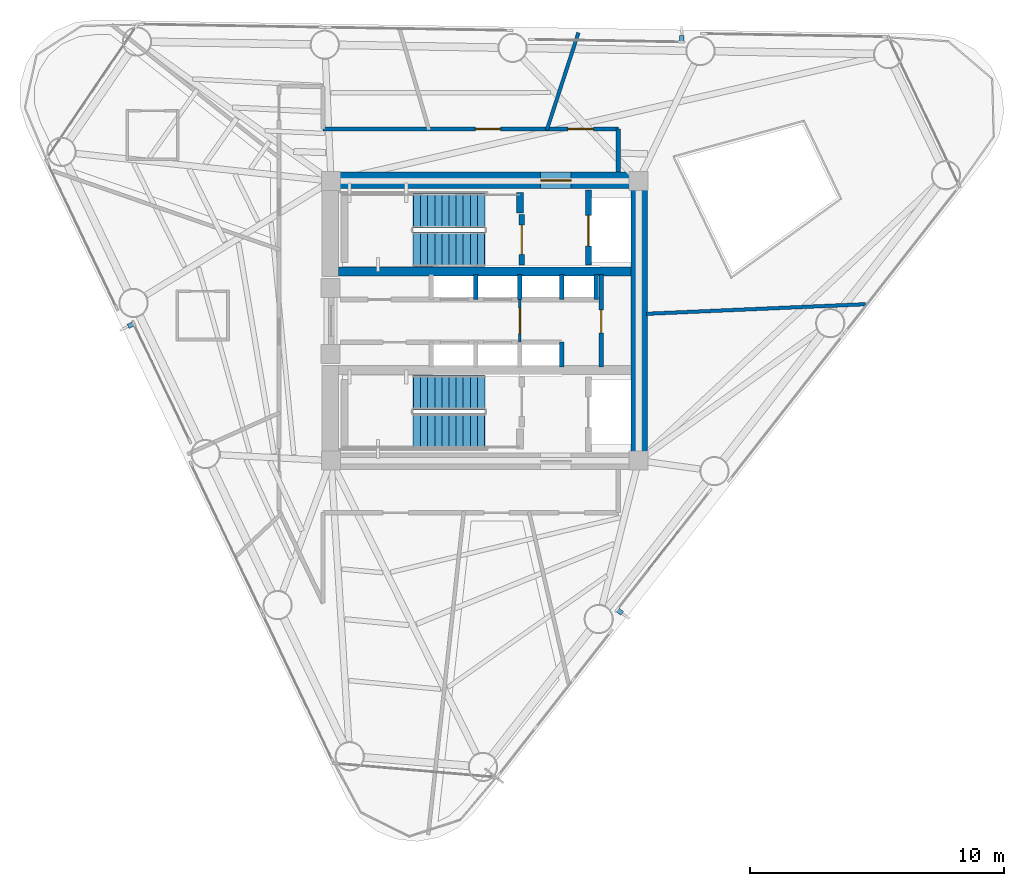
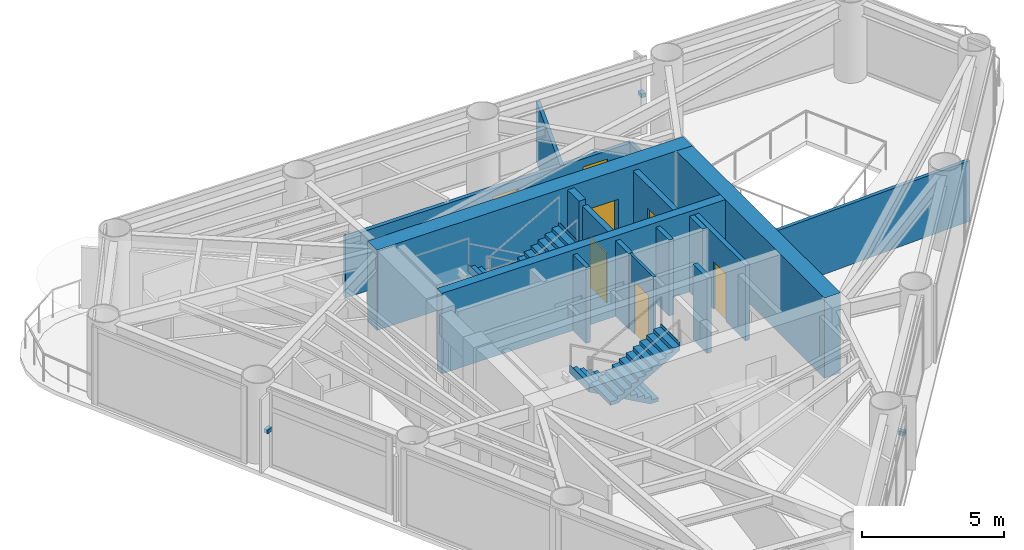
# One storey, part 6 of 9: 17 walls, 7 doors, 4 stair flights, 3 discrete accessories, 7 openings, 2 elements without a shape of their own.
"""IFC4 building model written with IfcOpenShell, lengths in metres."""

from ifc_helpers import new_model, si_unit, direction, frame, frame_2d, origin, origin_2d, place, context, subcontext, project, spatial, polyline, rectangle, outline, extrude, source, transform, mapped, material, layer, layer_set, type_object, element, fill, aggregate, save


model = new_model("IFC4")

# Units and contexts
model_context = context("Model", 3, precision=1e-05, world=origin(), true_north=direction((0.0, 1.0)))
body_context = subcontext(model_context, "Body", "Model", "MODEL_VIEW")
ifc_project = project(units=[si_unit("LENGTHUNIT", "METRE"), si_unit("AREAUNIT", "SQUARE_METRE"), si_unit("VOLUMEUNIT", "CUBIC_METRE"), si_unit("PLANEANGLEUNIT", "RADIAN"), si_unit("MASSUNIT", "GRAM", prefix="KILO")], contexts=[model_context])

# Site, building, storey
site_placement = place(None, origin())
site = spatial("IfcSite", under=ifc_project, at=site_placement, CompositionType="ELEMENT")
building_placement = place(site_placement, origin())
building = spatial("IfcBuilding", under=site, at=building_placement, Name="Yunling Apex Tower", CompositionType="ELEMENT")
storey_placement = place(building_placement, frame((0.0, 0.0, 201.800048828125)))
storey = spatial("IfcBuildingStorey", under=building, at=storey_placement, Name="L49", CompositionType="ELEMENT", Elevation=201.800048828125)

# Wall, opening, door
ifc_material_1 = material(Name="Concrete C50", Category="concrete")
ifc_layer_1 = layer(ifc_material_1, 0.64990234375)
ifc_layer_set_1 = layer_set([ifc_layer_1], Name="Concrete C50")
wall_type_1 = type_object("IfcWallType", Name="WL-COR-2", PredefinedType="SHEAR", material=ifc_layer_set_1)
wall_1_placement = place(storey_placement, frame((-6.39990234375, 5.52490234375, 0.0), z_axis=(0.0, 0.0, 1.0), x_axis=(1.0, 0.0, 0.0)))
wall_1 = element("IfcWall", 1, at=wall_1_placement, inside=storey, type_object=wall_type_1, Name="L49 North Core Shear Wall", PredefinedType="SHEAR", context=body_context, shape_type="SweptSolid", body=[
    extrude(rectangle(XDim=12.7998046875, YDim=0.64990234375, at=frame_2d((6.39990234375, 0.0))), origin(), (0.0, 0.0, 1.0), 3.449951171875),
])
opening_1_placement = place(wall_1_placement, frame((8.60009765625, 0.0, 0.0)))
opening_1 = element("IfcOpeningElement", 2, at=opening_1_placement, cuts=wall_1, Name="Opening DR-FFL-1", PredefinedType="OPENING", context=body_context, shape_type="SweptSolid", body=[
    extrude(rectangle(XDim=1.199951171875, YDim=2.199951171875, at=frame_2d((0.60009765625, 1.10009765625))), frame((0.0, 0.3349609375, 0.0), z_axis=(0.0, -1.0, 0.0), x_axis=(1.0, 0.0, 0.0)), (0.0, 0.0, 1.0), 0.669921875),
])
ifc_material_2 = material(Name="Steel Q355B", Category="steel")
door_type_1 = type_object("IfcDoorType", Name="DR-FFL-1", OperationType="NOTDEFINED", PredefinedType="DOOR", material=ifc_material_2)
door_1_placement = place(opening_1_placement, origin())
door_1 = element("IfcDoor", 3, at=door_1_placement, inside=storey, type_object=door_type_1, Name="L49 North Firefighting Lobby Door", OperationType="SINGLE_SWING_LEFT", OverallHeight=2.199951171875, OverallWidth=1.199951171875, PredefinedType="DOOR", context=body_context, shape_type="SweptSolid", body=[
    extrude(rectangle(XDim=1.199951171875, YDim=2.199951171875, at=frame_2d((0.60009765625, 1.10009765625))), frame((0.0, 0.02490234375, 0.0), z_axis=(0.0, -1.0, 0.0), x_axis=(1.0, 0.0, 0.0)), (0.0, 0.0, 1.0), 0.050048828125),
])
fill(opening_1, door_1)

# Walls
wall_2_placement = place(storey_placement, frame((6.074951171875, -5.199951171875, 0.0), z_axis=(0.0, 0.0, 1.0), x_axis=(0.0, 1.0, 0.0)))
element("IfcWall", 4, at=wall_2_placement, inside=storey, type_object=wall_type_1, Name="L49 East Core Shear Wall", PredefinedType="SHEAR", context=body_context, shape_type="SweptSolid", body=[
    extrude(rectangle(XDim=10.39990234375, YDim=0.64990234375, at=frame_2d((5.199951171875, 0.0))), origin(), (0.0, 0.0, 1.0), 3.449951171875),
])
ifc_material_3 = material(Name="Concrete C40", Category="concrete")
ifc_layer_2 = layer(ifc_material_3, 0.360107421875)
ifc_layer_set_2 = layer_set([ifc_layer_2], Name="Concrete C40")
wall_type_2 = type_object("IfcWallType", Name="WL-COR-4", PredefinedType="SHEAR", material=ifc_layer_set_2)
wall_3_placement = place(storey_placement, frame((-5.75, 1.93994140625, 0.0), z_axis=(0.0, 0.0, 1.0), x_axis=(1.0, 0.0, 0.0)))
element("IfcWall", 5, at=wall_3_placement, inside=storey, type_object=wall_type_2, Name="L49 North Internal Core Shear Wall", PredefinedType="SHEAR", context=body_context, shape_type="SweptSolid", body=[
    extrude(rectangle(XDim=11.5, YDim=0.360107421875, at=frame_2d((5.75, 0.0))), origin(), (0.0, 0.0, 1.0), 3.449951171875),
])
ifc_layer_3 = layer(ifc_material_3, 0.280029296875)
ifc_layer_set_3 = layer_set([ifc_layer_3], Name="Concrete C40")
wall_type_3 = type_object("IfcWallType", Name="WL-COR-8", PredefinedType="SHEAR", material=ifc_layer_set_3)
wall_4_placement = place(storey_placement, frame((1.3798828125, 4.25, 0.0), z_axis=(0.0, 0.0, 1.0), x_axis=(0.0, 1.0, 0.0)))
element("IfcWall", 6, at=wall_4_placement, inside=storey, type_object=wall_type_3, Name="L49 ST-1 East Landing Bearing Pier", PredefinedType="SHEAR", context=body_context, shape_type="SweptSolid", body=[
    extrude(rectangle(XDim=0.800048828125, YDim=0.280029296875, at=frame_2d((0.39990234375, 0.0))), origin(), (0.0, 0.0, 1.0), 3.449951171875),
])

# Wall, openings, doors
ifc_material_4 = material(Name="Gypsum board acoustic partition")
ifc_layer_4 = layer(ifc_material_4, 0.159912109375)
ifc_layer_set_4 = layer_set([ifc_layer_4], Name="Gypsum board acoustic partition")
wall_type_4 = type_object("IfcWallType", Name="WL-PRT-1", PredefinedType="PARTITIONING", material=ifc_layer_set_4)
wall_5_placement = place(storey_placement, frame((-6.360107421875, 7.550048828125, 0.0), z_axis=(0.0, 0.0, 1.0), x_axis=(1.0, 0.0, 0.0)))
wall_5 = element("IfcWall", 7, at=wall_5_placement, inside=storey, type_object=wall_type_4, Name="WL-CORR-L49-06", PredefinedType="PARTITIONING", context=body_context, shape_type="SweptSolid", body=[
    extrude(rectangle(XDim=11.610107421875, YDim=0.159912109375, at=frame_2d((5.80517578125, 0.0))), origin(), (0.0, 0.0, 1.0), 2.60498046875),
])
opening_2_placement = place(wall_5_placement, frame((5.984619140625, 0.0, 0.0)))
opening_2 = element("IfcOpeningElement", 8, at=opening_2_placement, cuts=wall_5, Name="Opening DR-OFF-1", PredefinedType="OPENING", context=body_context, shape_type="SweptSolid", body=[
    extrude(rectangle(XDim=1.0, YDim=2.25, at=frame_2d((0.5, 1.125))), frame((0.0, 0.08984375, 0.0), z_axis=(0.0, -1.0, 0.0), x_axis=(1.0, 0.0, 0.0)), (0.0, 0.0, 1.0), 0.179931640625),
])
opening_3_placement = place(wall_5_placement, frame((9.632568359375, 0.0, 0.0)))
opening_3 = element("IfcOpeningElement", 9, at=opening_3_placement, cuts=wall_5, Name="Opening DR-OFF-1", PredefinedType="OPENING", context=body_context, shape_type="SweptSolid", body=[
    extrude(rectangle(XDim=1.0, YDim=2.25, at=frame_2d((0.5, 1.125))), frame((0.0, 0.08984375, 0.0), z_axis=(0.0, -1.0, 0.0), x_axis=(1.0, 0.0, 0.0)), (0.0, 0.0, 1.0), 0.179931640625),
])
ifc_material_5 = material(Name="Bronze anodised aluminium", Category="aluminium")
door_type_2 = type_object("IfcDoorType", Name="DR-OFF-1", OperationType="NOTDEFINED", PredefinedType="DOOR", material=ifc_material_5)
door_2_placement = place(opening_2_placement, origin())
door_2 = element("IfcDoor", 10, at=door_2_placement, inside=storey, type_object=door_type_2, Name="L49 Club Lounge Door", OperationType="SINGLE_SWING_LEFT", OverallHeight=2.25, OverallWidth=1.0, PredefinedType="DOOR", context=body_context, shape_type="SweptSolid", body=[
    extrude(rectangle(XDim=1.0, YDim=2.25, at=frame_2d((0.5, 1.125))), frame((0.0, 0.02490234375, 0.0), z_axis=(0.0, -1.0, 0.0), x_axis=(1.0, 0.0, 0.0)), (0.0, 0.0, 1.0), 0.050048828125),
])
fill(opening_2, door_2)
door_3_placement = place(opening_3_placement, origin())
door_3 = element("IfcDoor", 11, at=door_3_placement, inside=storey, type_object=door_type_2, Name="L49 Club Lounge Door", OperationType="SINGLE_SWING_RIGHT", OverallHeight=2.25, OverallWidth=1.0, PredefinedType="DOOR", context=body_context, shape_type="SweptSolid", body=[
    extrude(rectangle(XDim=1.0, YDim=2.25, at=frame_2d((0.5, 1.125))), frame((0.0, 0.02490234375, 0.0), z_axis=(0.0, -1.0, 0.0), x_axis=(1.0, 0.0, 0.0)), (0.0, 0.0, 1.0), 0.050048828125),
])
fill(opening_3, door_3)

# Walls
wall_6_placement = place(storey_placement, frame((5.25, 7.550048828125, 0.0), z_axis=(0.0, 0.0, 1.0), x_axis=(0.0, -1.0, 0.0)))
element("IfcWall", 12, at=wall_6_placement, inside=storey, type_object=wall_type_4, Name="WL-CORR-L49-07", PredefinedType="PARTITIONING", context=body_context, shape_type="SweptSolid", body=[
    extrude(rectangle(XDim=1.699951171875, YDim=0.159912109375, at=frame_2d((0.85009765625, 0.0))), origin(), (0.0, 0.0, 1.0), 2.60498046875),
])
ifc_layer_5 = layer(ifc_material_4, 0.139892578125)
ifc_layer_set_5 = layer_set([ifc_layer_5], Name="Gypsum board acoustic partition")
wall_type_5 = type_object("IfcWallType", Name="WL-PRT-2", PredefinedType="PARTITIONING", material=ifc_layer_set_5)
wall_7_placement = place(storey_placement, frame((6.360107421875, 0.277587890625, 0.0), z_axis=(0.0, 0.0, 1.0), x_axis=(0.999047440648, 0.043637270025, 0.0)))
element("IfcWall", 13, at=wall_7_placement, inside=storey, type_object=wall_type_5, Name="WL-RAD-L49-01", PredefinedType="PARTITIONING", context=body_context, shape_type="SweptSolid", body=[
    extrude(rectangle(XDim=8.6328125, YDim=0.139892578125, at=frame_2d((4.31640625, 0.0))), origin(), (0.0, 0.0, 1.0), 2.60498046875),
])
wall_8_placement = place(storey_placement, frame((2.440185546875, 7.510009765625, 0.0), z_axis=(0.0, 0.0, 1.0), x_axis=(0.309013387048, 0.951057688379, 0.0)))
element("IfcWall", 14, at=wall_8_placement, inside=storey, type_object=wall_type_5, Name="WL-RAD-L49-02", PredefinedType="PARTITIONING", context=body_context, shape_type="SweptSolid", body=[
    extrude(rectangle(XDim=4.025390625, YDim=0.139892578125, at=frame_2d((2.0126953125, 0.0))), origin(), (0.0, 0.0, 1.0), 2.60498046875),
])

# Wall, opening, door
ifc_layer_6 = layer(ifc_material_4, 0.10009765625)
ifc_layer_set_6 = layer_set([ifc_layer_6], Name="Gypsum board acoustic partition")
wall_type_6 = type_object("IfcWallType", Name="WL-PRT-4", PredefinedType="PARTITIONING", material=ifc_layer_set_6)
wall_9_placement = place(storey_placement, frame((1.3798828125, -0.840087890625, 0.0), z_axis=(0.0, 0.0, 1.0), x_axis=(0.0, 1.0, 0.0)))
wall_9 = element("IfcWall", 15, at=wall_9_placement, inside=storey, type_object=wall_type_6, Name="WL-LOB-MID-L49", PredefinedType="PARTITIONING", context=body_context, shape_type="SweptSolid", body=[
    extrude(rectangle(XDim=1.68017578125, YDim=0.10009765625, at=frame_2d((0.840087890625, 0.0))), origin(), (0.0, 0.0, 1.0), 3.25),
])
opening_4_placement = place(wall_9_placement, frame((0.340087890625, 0.0, 0.0)))
opening_4 = element("IfcOpeningElement", 16, at=opening_4_placement, cuts=wall_9, Name="Opening DR-OFF-1", PredefinedType="OPENING", context=body_context, shape_type="SweptSolid", body=[
    extrude(rectangle(XDim=1.0, YDim=2.25, at=frame_2d((0.5, 1.125))), frame((0.0, 0.06005859375, 0.0), z_axis=(0.0, -1.0, 0.0), x_axis=(1.0, 0.0, 0.0)), (0.0, 0.0, 1.0), 0.1201171875),
])
door_4_placement = place(opening_4_placement, origin())
door_4 = element("IfcDoor", 17, at=door_4_placement, inside=storey, type_object=door_type_2, Name="L49 Core Lobby Link Door", OperationType="SINGLE_SWING_LEFT", OverallHeight=2.25, OverallWidth=1.0, PredefinedType="DOOR", context=body_context, shape_type="SweptSolid", body=[
    extrude(rectangle(XDim=1.0, YDim=2.25, at=frame_2d((0.5, 1.125))), frame((0.0, 0.02490234375, 0.0), z_axis=(0.0, -1.0, 0.0), x_axis=(1.0, 0.0, 0.0)), (0.0, 0.0, 1.0), 0.050048828125),
])
fill(opening_4, door_4)

ifc_material_6 = material(Name="Autoclaved aerated concrete masonry", Category="masonry")
ifc_layer_7 = layer(ifc_material_6, 0.219970703125)
ifc_layer_set_7 = layer_set([ifc_layer_7], Name="Autoclaved aerated concrete masonry")
wall_type_7 = type_object("IfcWallType", Name="WL-SHF-1", PredefinedType="PLUMBINGWALL", material=ifc_layer_set_7)
wall_10_placement = place(storey_placement, frame((1.449951171875, 2.199951171875, 0.0), z_axis=(0.0, 0.0, 1.0), x_axis=(0.0, 1.0, 0.0)))
wall_10 = element("IfcWall", 18, at=wall_10_placement, inside=storey, type_object=wall_type_7, Name="WL-ST1-E-L49", PredefinedType="PLUMBINGWALL", context=body_context, shape_type="SweptSolid", body=[
    extrude(rectangle(XDim=1.97998046875, YDim=0.219970703125, at=frame_2d((0.989990234375, 0.0))), origin(), (0.0, 0.0, 1.0), 3.25),
])
opening_5_placement = place(wall_10_placement, frame((0.419921875, 0.0, 0.0)))
opening_5 = element("IfcOpeningElement", 19, at=opening_5_placement, cuts=wall_10, Name="Opening DR-ST-1", PredefinedType="OPENING", context=body_context, shape_type="SweptSolid", body=[
    extrude(rectangle(XDim=1.14990234375, YDim=2.14990234375, at=frame_2d((0.574951171875, 1.074951171875))), frame((0.0, 0.1201171875, 0.0), z_axis=(0.0, -1.0, 0.0), x_axis=(1.0, 0.0, 0.0)), (0.0, 0.0, 1.0), 0.239990234375),
])
door_type_3 = type_object("IfcDoorType", Name="DR-ST-1", OperationType="NOTDEFINED", PredefinedType="DOOR", material=ifc_material_2)
door_5_placement = place(opening_5_placement, origin())
door_5 = element("IfcDoor", 20, at=door_5_placement, inside=storey, type_object=door_type_3, Name="L49 Stair ST-1 Fire Door", OperationType="SINGLE_SWING_LEFT", OverallHeight=2.14990234375, OverallWidth=1.14990234375, PredefinedType="DOOR", context=body_context, shape_type="SweptSolid", body=[
    extrude(rectangle(XDim=1.14990234375, YDim=2.14990234375, at=frame_2d((0.574951171875, 1.074951171875))), frame((0.0, 0.02490234375, 0.0), z_axis=(0.0, -1.0, 0.0), x_axis=(1.0, 0.0, 0.0)), (0.0, 0.0, 1.0), 0.050048828125),
])
fill(opening_5, door_5)

wall_11_placement = place(storey_placement, frame((4.080078125, 2.199951171875, 0.0), z_axis=(0.0, 0.0, 1.0), x_axis=(0.0, 1.0, 0.0)))
wall_11 = element("IfcWall", 21, at=wall_11_placement, inside=storey, type_object=wall_type_7, Name="WL-FFL1-W-L49", PredefinedType="PLUMBINGWALL", context=body_context, shape_type="SweptSolid", body=[
    extrude(rectangle(XDim=2.949951171875, YDim=0.219970703125, at=frame_2d((1.47509765625, 0.0))), origin(), (0.0, 0.0, 1.0), 3.25),
])
opening_6_placement = place(wall_11_placement, frame((0.75, 0.0, 0.0)))
opening_6 = element("IfcOpeningElement", 22, at=opening_6_placement, cuts=wall_11, Name="Opening LD-FFL-1", PredefinedType="OPENING", context=body_context, shape_type="SweptSolid", body=[
    extrude(rectangle(XDim=1.199951171875, YDim=2.25, at=frame_2d((0.60009765625, 1.125))), frame((0.0, 0.1201171875, 0.0), z_axis=(0.0, -1.0, 0.0), x_axis=(1.0, 0.0, 0.0)), (0.0, 0.0, 1.0), 0.239990234375),
])
door_type_4 = type_object("IfcDoorType", Name="LD-FFL-1", OperationType="DOUBLE_DOOR_SLIDING", PredefinedType="DOOR", material=ifc_material_2)
door_6_placement = place(opening_6_placement, origin())
door_6 = element("IfcDoor", 23, at=door_6_placement, inside=storey, type_object=door_type_4, Name="L49 Lift FFL-1 Landing Door", OperationType="DOUBLE_DOOR_SLIDING", OverallHeight=2.25, OverallWidth=1.199951171875, PredefinedType="DOOR", context=body_context, shape_type="SweptSolid", body=[
    extrude(rectangle(XDim=1.199951171875, YDim=2.25, at=frame_2d((0.60009765625, 1.125))), frame((0.0, 0.02490234375, 0.0), z_axis=(0.0, -1.0, 0.0), x_axis=(1.0, 0.0, 0.0)), (0.0, 0.0, 1.0), 0.050048828125),
])
fill(opening_6, door_6)

# Walls
ifc_layer_8 = layer(ifc_material_6, 0.179931640625)
ifc_layer_set_8 = layer_set([ifc_layer_8], Name="Autoclaved aerated concrete masonry")
wall_type_8 = type_object("IfcWallType", Name="WL-SHF-2", PredefinedType="PLUMBINGWALL", material=ifc_layer_set_8)
for number, where, z_axis, x_axis, name in (
    (24, (-0.35009765625, 0.840087890625, 0.0), (0.0, 0.0, 1.0), (0.0, 1.0, 0.0), "WL-DIV-M12-L49"),
    (25, (1.3798828125, 0.840087890625, 0.0), (0.0, 0.0, 1.0), (0.0, 1.0, 0.0), "WL-BNK-MH-N-L49"),
    (26, (3.02001953125, 0.840087890625, 0.0), (0.0, 0.0, 1.0), (0.0, 1.0, 0.0), "WL-DIV-H13-L49"),
    (27, (4.3798828125, 0.840087890625, 0.0), (0.0, 0.0, 1.0), (0.0, 1.0, 0.0), "WL-END-H3E-L49"),
    (28, (3.02001953125, -1.820068359375, 0.0), (0.0, 0.0, 1.0), (0.0, 1.0, 0.0), "WL-END-H2E-L49"),
):
    element("IfcWall", number, at=place(storey_placement, frame(where, z_axis=z_axis, x_axis=x_axis)), inside=storey, type_object=wall_type_8, Name=name, PredefinedType="PLUMBINGWALL", context=body_context, shape_type="SweptSolid", body=[
        extrude(rectangle(XDim=0.97998046875, YDim=0.179931640625, at=frame_2d((0.489990234375, 0.0))), origin(), (0.0, 0.0, 1.0), 3.25),
    ])

# Wall, opening, door
wall_12_placement = place(storey_placement, frame((4.580078125, -1.820068359375, 0.0), z_axis=(0.0, 0.0, 1.0), x_axis=(0.0, 1.0, 0.0)))
wall_12 = element("IfcWall", 29, at=wall_12_placement, inside=storey, type_object=wall_type_8, Name="WL-KBE-W-L49", PredefinedType="PLUMBINGWALL", context=body_context, shape_type="SweptSolid", body=[
    extrude(rectangle(XDim=3.64013671875, YDim=0.179931640625, at=frame_2d((1.820068359375, 0.0))), origin(), (0.0, 0.0, 1.0), 3.25),
])
opening_7_placement = place(wall_12_placement, frame((1.35009765625, 0.0, 0.0)))
opening_7 = element("IfcOpeningElement", 30, at=opening_7_placement, cuts=wall_12, Name="Opening DR-SHF-1", PredefinedType="OPENING", context=body_context, shape_type="SweptSolid", body=[
    extrude(rectangle(XDim=0.89990234375, YDim=2.050048828125, at=frame_2d((0.449951171875, 1.02490234375))), frame((0.0, 0.10009765625, 0.0), z_axis=(0.0, -1.0, 0.0), x_axis=(1.0, 0.0, 0.0)), (0.0, 0.0, 1.0), 0.199951171875),
])
door_type_5 = type_object("IfcDoorType", Name="DR-SHF-1", OperationType="NOTDEFINED", PredefinedType="DOOR", material=ifc_material_2)
door_7_placement = place(opening_7_placement, origin())
door_7 = element("IfcDoor", 31, at=door_7_placement, inside=storey, type_object=door_type_5, Name="L49 Core Meter Room Door", OperationType="SINGLE_SWING_RIGHT", OverallHeight=2.050048828125, OverallWidth=0.89990234375, PredefinedType="DOOR", context=body_context, shape_type="SweptSolid", body=[
    extrude(rectangle(XDim=0.89990234375, YDim=2.050048828125, at=frame_2d((0.449951171875, 1.02490234375))), frame((0.0, 0.02490234375, 0.0), z_axis=(0.0, -1.0, 0.0), x_axis=(1.0, 0.0, 0.0)), (0.0, 0.0, 1.0), 0.050048828125),
])
fill(opening_7, door_7)

# Stair, stair flights
stair_type = type_object("IfcStairType", Name="ST-TWR-2", PredefinedType="HALF_TURN_STAIR", material=ifc_material_3)
stair_1_placement = place(storey_placement, origin())
stair_1 = element("IfcStair", 32, at=stair_1_placement, inside=storey, type_object=stair_type, Name="L49 North Core Smokeproof Exit Stair ST-1", PredefinedType="HALF_TURN_STAIR")
stair_flight_type = type_object("IfcStairFlightType", Name="SFL-TWR-2", PredefinedType="STRAIGHT", material=ifc_material_3)
stair_flight_1_placement = place(storey_placement, frame((-0.010009765625, 4.330078125, 0.0), z_axis=(0.0, 0.0, 1.0), x_axis=(-1.0, 0.0, 0.0)))
stair_flight_1 = element("IfcStairFlight", 33, at=stair_flight_1_placement, type_object=stair_flight_type, Name="ST-1 flight 1", NumberOfRisers=11, NumberOfTreads=10, PredefinedType="STRAIGHT", RiserHeight=0.156818182, TreadLength=0.28, context=body_context, shape_type="SweptSolid", body=[
    extrude(outline(polyline([(-0.011962890625, 0.0), (-0.011962890625, 0.15673828125), (0.0, 0.15673828125), (0.280029296875, 0.15673828125), (0.280029296875, 0.313720703125), (0.56005859375, 0.313720703125), (0.56005859375, 0.470458984375), (0.840087890625, 0.470458984375), (0.840087890625, 0.627197265625), (1.1201171875, 0.627197265625), (1.1201171875, 0.7841796875), (1.39990234375, 0.7841796875), (1.39990234375, 0.94091796875), (1.679931640625, 0.94091796875), (1.679931640625, 1.09765625), (1.9599609375, 1.09765625), (1.9599609375, 1.254638671875), (2.239990234375, 1.254638671875), (2.239990234375, 1.411376953125), (2.52001953125, 1.411376953125), (2.52001953125, 1.568115234375), (2.800048828125, 1.568115234375), (2.800048828125, 1.72509765625), (2.81201171875, 1.72509765625), (2.81201171875, 1.385009765625), (0.3271484375, 0.0), (-0.011962890625, 0.0)])), frame((0.0, 0.68017578125, 0.0), z_axis=(0.0, -1.0, 0.0), x_axis=(1.0, 0.0, 0.0)), (0.0, 0.0, 1.0), 1.360107421875),
])
stair_flight_2_placement = place(storey_placement, frame((-2.81005859375, 2.820068359375, 1.724853515625), z_axis=(0.0, 0.0, 1.0), x_axis=(1.0, 0.0, 0.0)))
stair_flight_2 = element("IfcStairFlight", 34, at=stair_flight_2_placement, type_object=stair_flight_type, Name="ST-1 flight 2", NumberOfRisers=11, NumberOfTreads=10, PredefinedType="STRAIGHT", RiserHeight=0.156818182, TreadLength=0.28, context=body_context, shape_type="SweptSolid", body=[
    extrude(outline(polyline([(-0.011962890625, 0.0), (-0.011962890625, 0.15673828125), (0.0, 0.15673828125), (0.280029296875, 0.15673828125), (0.280029296875, 0.313720703125), (0.56005859375, 0.313720703125), (0.56005859375, 0.470458984375), (0.840087890625, 0.470458984375), (0.840087890625, 0.627197265625), (1.1201171875, 0.627197265625), (1.1201171875, 0.7841796875), (1.39990234375, 0.7841796875), (1.39990234375, 0.94091796875), (1.679931640625, 0.94091796875), (1.679931640625, 1.09765625), (1.9599609375, 1.09765625), (1.9599609375, 1.254638671875), (2.239990234375, 1.254638671875), (2.239990234375, 1.411376953125), (2.52001953125, 1.411376953125), (2.52001953125, 1.568115234375), (2.800048828125, 1.568115234375), (2.800048828125, 1.72509765625), (2.81201171875, 1.72509765625), (2.81201171875, 1.385009765625), (0.3271484375, 0.0), (-0.011962890625, 0.0)])), frame((0.0, 0.68017578125, 0.0), z_axis=(0.0, -1.0, 0.0), x_axis=(1.0, 0.0, 0.0)), (0.0, 0.0, 1.0), 1.360107421875),
])
aggregate(stair_1, [stair_flight_1, stair_flight_2])

stair_2_placement = place(storey_placement, origin())
stair_2 = element("IfcStair", 35, at=stair_2_placement, inside=storey, type_object=stair_type, Name="L49 South Core Smokeproof Exit Stair ST-2", PredefinedType="HALF_TURN_STAIR")
stair_flight_3_placement = place(storey_placement, frame((-0.010009765625, -2.820068359375, 0.0), z_axis=(0.0, 0.0, 1.0), x_axis=(-1.0, 0.0, 0.0)))
stair_flight_3 = element("IfcStairFlight", 36, at=stair_flight_3_placement, type_object=stair_flight_type, Name="ST-2 flight 1", NumberOfRisers=11, NumberOfTreads=10, PredefinedType="STRAIGHT", RiserHeight=0.156818182, TreadLength=0.28, context=body_context, shape_type="SweptSolid", body=[
    extrude(outline(polyline([(-0.011962890625, 0.0), (-0.011962890625, 0.15673828125), (0.0, 0.15673828125), (0.280029296875, 0.15673828125), (0.280029296875, 0.313720703125), (0.56005859375, 0.313720703125), (0.56005859375, 0.470458984375), (0.840087890625, 0.470458984375), (0.840087890625, 0.627197265625), (1.1201171875, 0.627197265625), (1.1201171875, 0.7841796875), (1.39990234375, 0.7841796875), (1.39990234375, 0.94091796875), (1.679931640625, 0.94091796875), (1.679931640625, 1.09765625), (1.9599609375, 1.09765625), (1.9599609375, 1.254638671875), (2.239990234375, 1.254638671875), (2.239990234375, 1.411376953125), (2.52001953125, 1.411376953125), (2.52001953125, 1.568115234375), (2.800048828125, 1.568115234375), (2.800048828125, 1.72509765625), (2.81201171875, 1.72509765625), (2.81201171875, 1.385009765625), (0.3271484375, 0.0), (-0.011962890625, 0.0)])), frame((0.0, 0.68017578125, 0.0), z_axis=(0.0, -1.0, 0.0), x_axis=(1.0, 0.0, 0.0)), (0.0, 0.0, 1.0), 1.360107421875),
])
stair_flight_4_placement = place(storey_placement, frame((-2.81005859375, -4.330078125, 1.724853515625), z_axis=(0.0, 0.0, 1.0), x_axis=(1.0, 0.0, 0.0)))
stair_flight_4 = element("IfcStairFlight", 37, at=stair_flight_4_placement, type_object=stair_flight_type, Name="ST-2 flight 2", NumberOfRisers=11, NumberOfTreads=10, PredefinedType="STRAIGHT", RiserHeight=0.156818182, TreadLength=0.28, context=body_context, shape_type="SweptSolid", body=[
    extrude(outline(polyline([(-0.011962890625, 0.0), (-0.011962890625, 0.15673828125), (0.0, 0.15673828125), (0.280029296875, 0.15673828125), (0.280029296875, 0.313720703125), (0.56005859375, 0.313720703125), (0.56005859375, 0.470458984375), (0.840087890625, 0.470458984375), (0.840087890625, 0.627197265625), (1.1201171875, 0.627197265625), (1.1201171875, 0.7841796875), (1.39990234375, 0.7841796875), (1.39990234375, 0.94091796875), (1.679931640625, 0.94091796875), (1.679931640625, 1.09765625), (1.9599609375, 1.09765625), (1.9599609375, 1.254638671875), (2.239990234375, 1.254638671875), (2.239990234375, 1.411376953125), (2.52001953125, 1.411376953125), (2.52001953125, 1.568115234375), (2.800048828125, 1.568115234375), (2.800048828125, 1.72509765625), (2.81201171875, 1.72509765625), (2.81201171875, 1.385009765625), (0.3271484375, 0.0), (-0.011962890625, 0.0)])), frame((0.0, 0.68017578125, 0.0), z_axis=(0.0, -1.0, 0.0), x_axis=(1.0, 0.0, 0.0)), (0.0, 0.0, 1.0), 1.360107421875),
])
aggregate(stair_2, [stair_flight_3, stair_flight_4])

# Discrete accessories
discrete_accessory_type = type_object("IfcDiscreteAccessoryType", Name="BK-FIN-1", PredefinedType="BRACKET", material=ifc_material_2)
shared_shape = source(origin(), body_context, "Body", "SweptSolid", [
    extrude(rectangle(XDim=0.179931640625, YDim=0.260009765625, at=origin_2d()), origin(), (0.0, 0.0, 1.0), 0.159912109375),
])
for number, where, z_axis, x_axis, name in (
    (38, (5.299072265625, -11.432861328125, 1.55517578125), (0.0, 0.0, 1.0), (0.616211460536, 0.787580748815, 0.0), "CW-L49-F1-B2-BRK-01-1"),
    (39, (7.749755859375, 11.090087890625, 1.55517578125), (0.0, 0.0, 1.0), (-0.999859635577, 0.016754376869, 0.0), "CW-L49-F2-B2-BRK-01-1"),
    (40, (-13.9189453125, -0.16162109375, 1.55517578125), (0.0, 0.0, 1.0), (0.430511096808, -0.90258528435, 0.0), "CW-L49-F3-B2-BRK-01-1"),
):
    element("IfcDiscreteAccessory", number, at=place(storey_placement, frame(where, z_axis=z_axis, x_axis=x_axis)), inside=storey, type_object=discrete_accessory_type, Name=name, PredefinedType="BRACKET", context=body_context, shape_type="MappedRepresentation", body=[
        mapped(shared_shape, transform((0.0, 0.0, 0.0), scale=1.0)),
    ])

save(model, "model.ifc")
